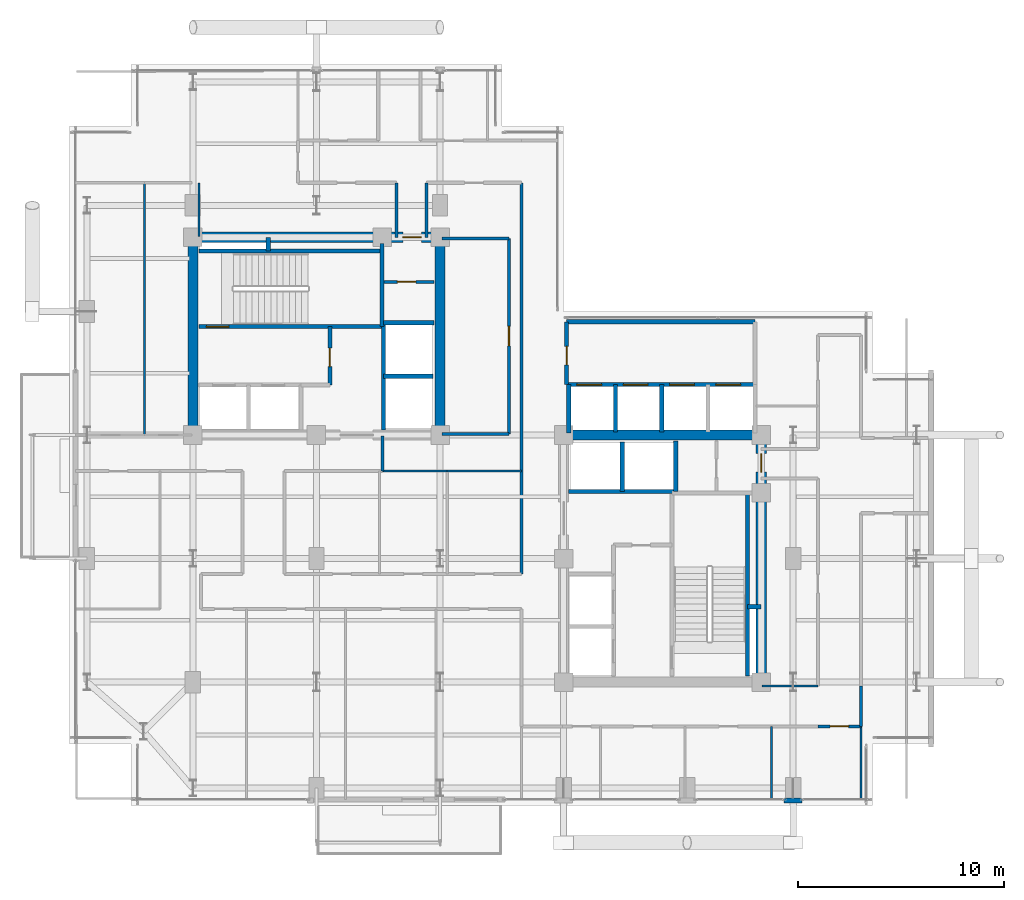
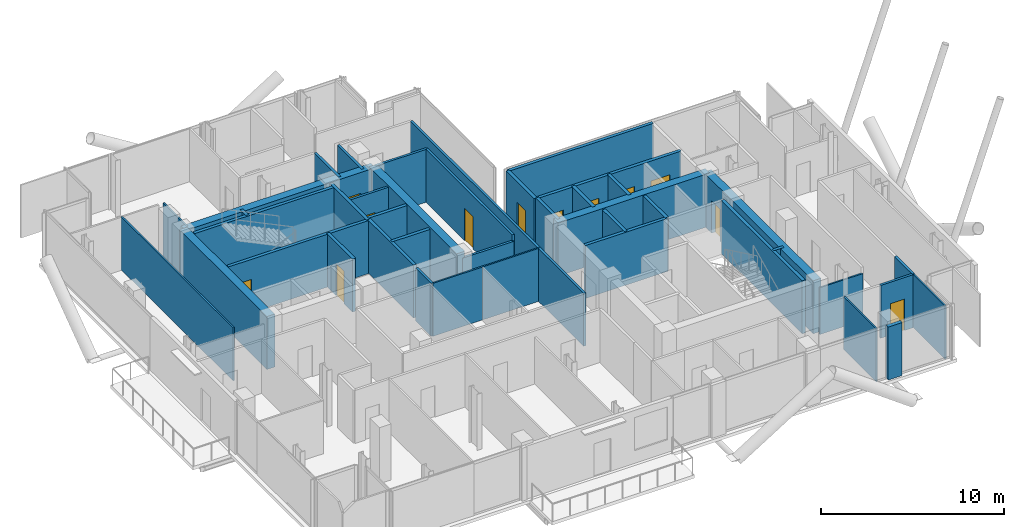
# One storey, part 18 of 22: 42 walls, 12 doors, 12 openings.
"""IFC4 building model written with IfcOpenShell, lengths in metres."""

from ifc_helpers import new_model, si_unit, direction, frame, frame_2d, origin, place, context, subcontext, project, spatial, rectangle, extrude, material, layer, layer_set, type_object, element, fill, save


model = new_model("IFC4")

# Units and contexts
model_context = context("Model", 3, precision=1e-05, world=origin(), true_north=direction((0.0, 1.0)))
body_context = subcontext(model_context, "Body", "Model", "MODEL_VIEW")
ifc_project = project(units=[si_unit("LENGTHUNIT", "METRE"), si_unit("AREAUNIT", "SQUARE_METRE"), si_unit("VOLUMEUNIT", "CUBIC_METRE"), si_unit("PLANEANGLEUNIT", "RADIAN"), si_unit("MASSUNIT", "GRAM", prefix="KILO"), si_unit("THERMODYNAMICTEMPERATUREUNIT", "KELVIN"), si_unit("POWERUNIT", "WATT")], contexts=[model_context])

# Site, building, storey
site_placement = place(None, origin())
site = spatial("IfcSite", under=ifc_project, at=site_placement, CompositionType="ELEMENT")
building_placement = place(site_placement, origin())
building = spatial("IfcBuilding", under=site, at=building_placement, Name="Svarakhadi Broadcast Tower", CompositionType="ELEMENT")
storey_placement = place(building_placement, frame((0.0, 0.0, 191.699951171875)))
storey = spatial("IfcBuildingStorey", under=building, at=storey_placement, Name="L47", CompositionType="ELEMENT", Elevation=191.699951171875)

# Walls
ifc_material_1 = material(Name="Concrete C40/50 (IS 456 M50)", Category="concrete")
ifc_layer_1 = layer(ifc_material_1, 0.239990234375)
ifc_layer_set_1 = layer_set([ifc_layer_1], Name="Concrete C40/50 (IS 456 M50)")
wall_type_1 = type_object("IfcWallType", Name="Wall_Ext_240", PredefinedType="SOLIDWALL", material=ifc_layer_set_1)
wall_1_placement = place(storey_placement, frame((35.590087890625, 0.239990234375, 0.0), z_axis=(0.0, 0.0, 1.0), x_axis=(-1.0, 0.0, 0.0)))
element("IfcWall", 1, at=wall_1_placement, inside=storey, type_object=wall_type_1, Name="L47 Perimeter Bronze Spandrel Closure Wall 03", PredefinedType="SOLIDWALL", context=body_context, shape_type="SweptSolid", body=[
    extrude(rectangle(XDim=0.880126953125, YDim=0.239990234375, at=frame_2d((0.43994140625, 0.0))), origin(), (0.0, 0.0, 1.0), 3.5400390625),
])
ifc_layer_2 = layer(ifc_material_1, 0.199951171875)
ifc_layer_set_2 = layer_set([ifc_layer_2], Name="Concrete C40/50 (IS 456 M50)")
wall_type_2 = type_object("IfcWallType", Name="Wall_Fire_200", PredefinedType="SOLIDWALL", material=ifc_layer_set_2)
for number, where, z_axis, x_axis, name in (
    (2, (9.659912109375, 26.93994140625, 0.0), (0.0, 0.0, 1.0), (0.0, 1.0, 0.0), "L47 Wet Riser Shaft East Wall"),
    (3, (32.93994140625, 9.659912109375, 0.0), (0.0, 0.0, 1.0), (1.0, 0.0, 0.0), "L47 HV Busduct Riser Shaft North Wall"),
):
    element("IfcWall", number, at=place(storey_placement, frame(where, z_axis=z_axis, x_axis=x_axis)), inside=storey, type_object=wall_type_2, Name=name, PredefinedType="SOLIDWALL", context=body_context, shape_type="SweptSolid", body=[
        extrude(rectangle(XDim=0.64013671875, YDim=0.199951171875, at=frame_2d((0.320068359375, 0.0))), origin(), (0.0, 0.0, 1.0), 3.5400390625),
    ])
ifc_material_2 = material(Name="Fire-Rated Moisture-Resistant Gypsum Board Partition", Category="gypsum")
ifc_layer_3 = layer(ifc_material_2, 0.10009765625)
ifc_layer_set_3 = layer_set([ifc_layer_3], Name="Fire-Rated Moisture-Resistant Gypsum Board Partition")
wall_type_3 = type_object("IfcWallType", Name="Wall_Part_100", PredefinedType="PARTITIONING", material=ifc_layer_set_3)
wall_2_placement = place(storey_placement, frame((15.199951171875, 16.25, 0.0), z_axis=(0.0, 0.0, 1.0), x_axis=(1.0, 0.0, 0.0)))
element("IfcWall", 4, at=wall_2_placement, inside=storey, type_object=wall_type_3, Name="L47 Editorial Review Booth Wall", PredefinedType="PARTITIONING", context=body_context, shape_type="SweptSolid", body=[
    extrude(rectangle(XDim=3.150146484375, YDim=0.10009765625, at=frame_2d((1.5751953125, 0.0))), origin(), (0.0, 0.0, 1.0), 3.5400390625),
])
wall_3_placement = place(storey_placement, frame((18.35009765625, 16.25, 0.0), z_axis=(0.0, 0.0, 1.0), x_axis=(1.0, 0.0, 0.0)))
element("IfcWall", 5, at=wall_3_placement, inside=storey, type_object=wall_type_3, Name="L47 Accessible Floor Washroom WC Wall", PredefinedType="PARTITIONING", context=body_context, shape_type="SweptSolid", body=[
    extrude(rectangle(XDim=3.599853515625, YDim=0.10009765625, at=frame_2d((1.7998046875, 0.0))), origin(), (0.0, 0.0, 1.0), 3.5400390625),
])
wall_4_placement = place(storey_placement, frame((3.64990234375, 18.0, 0.0), z_axis=(0.0, 0.0, 1.0), x_axis=(0.0, 1.0, 0.0)))
element("IfcWall", 6, at=wall_4_placement, inside=storey, type_object=wall_type_3, Name="L47 Wellness Relaxation Alcove Wall", PredefinedType="PARTITIONING", context=body_context, shape_type="SweptSolid", body=[
    extrude(rectangle(XDim=12.25, YDim=0.10009765625, at=frame_2d((6.125, 0.0))), origin(), (0.0, 0.0, 1.0), 3.5400390625),
])
for number, where, z_axis, x_axis, name in (
    (7, (34.10009765625, 0.300048828125, 0.0), (0.0, 0.0, 1.0), (0.0, 1.0, 0.0), "L47 Artisanal Espresso Bar Wall"),
    (8, (38.449951171875, 0.300048828125, 0.0), (0.0, 0.0, 1.0), (0.0, 1.0, 0.0), "L47 Hotel Business Centre Office Wall"),
):
    element("IfcWall", number, at=place(storey_placement, frame(where, z_axis=z_axis, x_axis=x_axis)), inside=storey, type_object=wall_type_3, Name=name, PredefinedType="PARTITIONING", context=body_context, shape_type="SweptSolid", body=[
        extrude(rectangle(XDim=3.550048828125, YDim=0.10009765625, at=frame_2d((1.77490234375, 0.0))), origin(), (0.0, 0.0, 1.0), 3.5400390625),
    ])
wall_5_placement = place(storey_placement, frame((6.300048828125, 27.64990234375, 0.0), z_axis=(0.0, 0.0, 1.0), x_axis=(0.0, 1.0, 0.0)))
element("IfcWall", 9, at=wall_5_placement, inside=storey, type_object=wall_type_3, Name="L47 Guest Library Study Wall", PredefinedType="PARTITIONING", context=body_context, shape_type="SweptSolid", body=[
    extrude(rectangle(XDim=2.60009765625, YDim=0.10009765625, at=frame_2d((1.300048828125, 0.0))), origin(), (0.0, 0.0, 1.0), 3.5400390625),
])
wall_6_placement = place(storey_placement, frame((33.64990234375, 5.800048828125, 0.0), z_axis=(0.0, 0.0, 1.0), x_axis=(1.0, 0.0, 0.0)))
element("IfcWall", 10, at=wall_6_placement, inside=storey, type_object=wall_type_3, Name="L47 Sommelier Wine Tasting Room Wall", PredefinedType="PARTITIONING", context=body_context, shape_type="SweptSolid", body=[
    extrude(rectangle(XDim=2.7001953125, YDim=0.10009765625, at=frame_2d((1.35009765625, 0.0))), origin(), (0.0, 0.0, 1.0), 3.132080078125),
])

# Wall, opening, door
ifc_material_3 = material(Name="Autoclaved Aerated Concrete Blockwork 150 mm", Category="masonry")
ifc_layer_4 = layer(ifc_material_3, 0.14990234375)
ifc_layer_set_4 = layer_set([ifc_layer_4], Name="Autoclaved Aerated Concrete Blockwork 150 mm")
wall_type_4 = type_object("IfcWallType", Name="Wall_Part_150", PredefinedType="PARTITIONING", material=ifc_layer_set_4)
wall_7_placement = place(storey_placement, frame((15.280029296875, 25.43994140625, 0.0), z_axis=(0.0, 0.0, 1.0), x_axis=(1.0, 0.0, 0.0)))
wall_7 = element("IfcWall", 11, at=wall_7_placement, inside=storey, type_object=wall_type_4, Name="L47 West Core Dual Store Wall", PredefinedType="PARTITIONING", context=body_context, shape_type="SweptSolid", body=[
    extrude(rectangle(XDim=2.419921875, YDim=0.14990234375, at=frame_2d((1.2099609375, 0.0))), origin(), (0.0, 0.0, 1.0), 3.5400390625),
])
opening_1_placement = place(wall_7_placement, frame((0.64990234375, 0.0, 0.0)))
opening_1 = element("IfcOpeningElement", 12, at=opening_1_placement, cuts=wall_7, Name="Opening D-03", PredefinedType="OPENING", context=body_context, shape_type="SweptSolid", body=[
    extrude(rectangle(XDim=0.89990234375, YDim=2.14990234375, at=frame_2d((0.449951171875, 1.074951171875))), frame((0.0, 0.0849609375, 0.0), z_axis=(0.0, -1.0, 0.0), x_axis=(1.0, 0.0, 0.0)), (0.0, 0.0, 1.0), 0.169921875),
])
ifc_material_4 = material(Name="Galvanised Powder-Coated Fire-Rated Steel Leaf", Category="steel")
door_type_1 = type_object("IfcDoorType", Name="Door_Fire_D03", OperationType="SINGLE_SWING_LEFT", PredefinedType="DOOR", material=ifc_material_4)
door_1_placement = place(opening_1_placement, origin())
door_1 = element("IfcDoor", 13, at=door_1_placement, inside=storey, type_object=door_type_1, Name="L47 West Core Store B Door", OperationType="SINGLE_SWING_LEFT", OverallHeight=2.14990234375, OverallWidth=0.89990234375, PredefinedType="DOOR", context=body_context, shape_type="SweptSolid", body=[
    extrude(rectangle(XDim=0.89990234375, YDim=2.14990234375, at=frame_2d((0.449951171875, 1.074951171875))), frame((0.0, 0.02490234375, 0.0), z_axis=(0.0, -1.0, 0.0), x_axis=(1.0, 0.0, 0.0)), (0.0, 0.0, 1.0), 0.050048828125),
])
fill(opening_1, door_1)

# Wall
wall_8_placement = place(storey_placement, frame((38.449951171875, 5.800048828125, 0.0), z_axis=(0.0, 0.0, 1.0), x_axis=(0.0, -1.0, 0.0)))
element("IfcWall", 14, at=wall_8_placement, inside=storey, type_object=wall_type_4, Name="L47 Zone 2/3 Corridor Wall", PredefinedType="PARTITIONING", context=body_context, shape_type="SweptSolid", body=[
    extrude(rectangle(XDim=1.949951171875, YDim=0.14990234375, at=frame_2d((0.97509765625, 0.0))), origin(), (0.0, 0.0, 1.0), 3.5400390625),
])

# Wall, opening, door
wall_9_placement = place(storey_placement, frame((38.449951171875, 3.85009765625, 0.0), z_axis=(0.0, 0.0, 1.0), x_axis=(-1.0, 0.0, 0.0)))
wall_9 = element("IfcWall", 15, at=wall_9_placement, inside=storey, type_object=wall_type_4, Name="L47 Zone 2/3 Corridor Wall", PredefinedType="PARTITIONING", context=body_context, shape_type="SweptSolid", body=[
    extrude(rectangle(XDim=2.099853515625, YDim=0.14990234375, at=frame_2d((1.0498046875, 0.0))), origin(), (0.0, 0.0, 1.0), 3.5400390625),
])
opening_2_placement = place(wall_9_placement, frame((0.60009765625, 0.0, 0.0)))
opening_2 = element("IfcOpeningElement", 16, at=opening_2_placement, cuts=wall_9, Name="Opening D-15", PredefinedType="OPENING", context=body_context, shape_type="SweptSolid", body=[
    extrude(rectangle(XDim=0.89990234375, YDim=2.10009765625, at=frame_2d((0.449951171875, 1.050048828125))), frame((0.0, 0.0849609375, 0.0), z_axis=(0.0, -1.0, 0.0), x_axis=(1.0, 0.0, 0.0)), (0.0, 0.0, 1.0), 0.169921875),
])
ifc_material_5 = material(Name="Solid-Core Teak Veneer Acoustic Timber Leaf", Category="wood")
door_type_2 = type_object("IfcDoorType", Name="Door_Int_D15", OperationType="SINGLE_SWING_RIGHT", PredefinedType="DOOR", material=ifc_material_5)
door_2_placement = place(opening_2_placement, origin())
door_2 = element("IfcDoor", 17, at=door_2_placement, inside=storey, type_object=door_type_2, Name="L47 Hotel Business Centre Office Door", OperationType="SINGLE_SWING_RIGHT", OverallHeight=2.10009765625, OverallWidth=0.89990234375, PredefinedType="DOOR", context=body_context, shape_type="SweptSolid", body=[
    extrude(rectangle(XDim=0.89990234375, YDim=2.10009765625, at=frame_2d((0.449951171875, 1.050048828125))), frame((0.0, 0.02490234375, 0.0), z_axis=(0.0, -1.0, 0.0), x_axis=(1.0, 0.0, 0.0)), (0.0, 0.0, 1.0), 0.050048828125),
])
fill(opening_2, door_2)

# Walls
wall_10_placement = place(storey_placement, frame((15.199951171875, 17.949951171875, 0.0), z_axis=(0.0, 0.0, 1.0), x_axis=(0.0, -1.0, 0.0)))
element("IfcWall", 18, at=wall_10_placement, inside=storey, type_object=wall_type_4, Name="L47 Zone 2/3 Corridor Wall", PredefinedType="PARTITIONING", context=body_context, shape_type="SweptSolid", body=[
    extrude(rectangle(XDim=1.699951171875, YDim=0.14990234375, at=frame_2d((0.85009765625, 0.0))), origin(), (0.0, 0.0, 1.0), 3.5400390625),
])
wall_11_placement = place(storey_placement, frame((21.949951171875, 11.25, 0.0), z_axis=(0.0, 0.0, 1.0), x_axis=(0.0, 1.0, 0.0)))
element("IfcWall", 19, at=wall_11_placement, inside=storey, type_object=wall_type_4, Name="L47 Zone 2/3 Corridor Wall", PredefinedType="PARTITIONING", context=body_context, shape_type="SweptSolid", body=[
    extrude(rectangle(XDim=19.0, YDim=0.14990234375, at=frame_2d((9.5, 0.0))), origin(), (0.0, 0.0, 1.0), 3.5400390625),
])
for number, where, z_axis, x_axis, name in (
    (20, (17.35009765625, 30.25, 0.0), (0.0, 0.0, 1.0), (0.0, -1.0, 0.0), "L47 Zone 2/3 Corridor Wall"),
    (21, (15.8798828125, 27.580078125, 0.0), (0.0, 0.0, 1.0), (0.0, 1.0, 0.0), "L47 Zone 2/3 Corridor Wall"),
):
    element("IfcWall", number, at=place(storey_placement, frame(where, z_axis=z_axis, x_axis=x_axis)), inside=storey, type_object=wall_type_4, Name=name, PredefinedType="PARTITIONING", context=body_context, shape_type="SweptSolid", body=[
        extrude(rectangle(XDim=2.669921875, YDim=0.14990234375, at=frame_2d((1.3349609375, 0.0))), origin(), (0.0, 0.0, 1.0), 3.5400390625),
    ])
wall_12_placement = place(storey_placement, frame((18.10009765625, 18.050048828125, 0.0), z_axis=(0.0, 0.0, 1.0), x_axis=(1.0, 0.0, 0.0)))
element("IfcWall", 22, at=wall_12_placement, inside=storey, type_object=wall_type_4, Name="L47 Hotel Floor Butler Service Pantry Wall", PredefinedType="PARTITIONING", context=body_context, shape_type="SweptSolid", body=[
    extrude(rectangle(XDim=3.25, YDim=0.14990234375, at=frame_2d((1.625, 0.0))), origin(), (0.0, 0.0, 1.0), 3.132080078125),
])
wall_13_placement = place(storey_placement, frame((18.10009765625, 27.550048828125, 0.0), z_axis=(0.0, 0.0, 1.0), x_axis=(1.0, 0.0, 0.0)))
element("IfcWall", 23, at=wall_13_placement, inside=storey, type_object=wall_type_4, Name="L47 Hotel Floor Butler Service Pantry Wall", PredefinedType="PARTITIONING", context=body_context, shape_type="SweptSolid", body=[
    extrude(rectangle(XDim=3.25, YDim=0.14990234375, at=frame_2d((1.625, 0.0))), origin(), (0.0, 0.0, 1.0), 3.5400390625),
])

# Wall, opening, door
wall_14_placement = place(storey_placement, frame((21.35009765625, 18.050048828125, 0.0), z_axis=(0.0, 0.0, 1.0), x_axis=(0.0, 1.0, 0.0)))
wall_14 = element("IfcWall", 24, at=wall_14_placement, inside=storey, type_object=wall_type_4, Name="L47 Hotel Floor Butler Service Pantry Wall", PredefinedType="PARTITIONING", context=body_context, shape_type="SweptSolid", body=[
    extrude(rectangle(XDim=9.5, YDim=0.14990234375, at=frame_2d((4.75, 0.0))), origin(), (0.0, 0.0, 1.0), 3.5400390625),
])
opening_3_placement = place(wall_14_placement, frame((4.27490234375, 0.0, 0.0)))
opening_3 = element("IfcOpeningElement", 25, at=opening_3_placement, cuts=wall_14, Name="Opening D-07", PredefinedType="OPENING", context=body_context, shape_type="SweptSolid", body=[
    extrude(rectangle(XDim=0.949951171875, YDim=2.14990234375, at=frame_2d((0.47509765625, 1.074951171875))), frame((0.0, 0.0849609375, 0.0), z_axis=(0.0, -1.0, 0.0), x_axis=(1.0, 0.0, 0.0)), (0.0, 0.0, 1.0), 0.169921875),
])
door_type_3 = type_object("IfcDoorType", Name="Door_Office_D07", OperationType="SINGLE_SWING_RIGHT", PredefinedType="DOOR", material=ifc_material_5)
door_3_placement = place(opening_3_placement, origin())
door_3 = element("IfcDoor", 26, at=door_3_placement, inside=storey, type_object=door_type_3, Name="L47 Hotel Floor Butler Service Pantry Door", OperationType="SINGLE_SWING_RIGHT", OverallHeight=2.14990234375, OverallWidth=0.949951171875, PredefinedType="DOOR", context=body_context, shape_type="SweptSolid", body=[
    extrude(rectangle(XDim=0.949951171875, YDim=2.14990234375, at=frame_2d((0.47509765625, 1.074951171875))), frame((0.0, 0.02490234375, 0.0), z_axis=(0.0, -1.0, 0.0), x_axis=(1.0, 0.0, 0.0)), (0.0, 0.0, 1.0), 0.050048828125),
])
fill(opening_3, door_3)

ifc_material_6 = material(Name="Concrete C50/60 (IS 456 M60)", Category="concrete")
ifc_layer_5 = layer(ifc_material_6, 0.199951171875)
ifc_layer_set_5 = layer_set([ifc_layer_5], Name="Concrete C50/60 (IS 456 M60)")
wall_type_5 = type_object("IfcWallType", Name="Wall_Shear_200", PredefinedType="SHEAR", material=ifc_layer_set_5)
wall_15_placement = place(storey_placement, frame((6.300048828125, 23.260009765625, 0.0), z_axis=(0.0, 0.0, 1.0), x_axis=(1.0, 0.0, 0.0)))
wall_15 = element("IfcWall", 27, at=wall_15_placement, inside=storey, type_object=wall_type_5, Name="L47 Stair ST-01 South RC Shaft Wall", PredefinedType="SHEAR", context=body_context, shape_type="SweptSolid", body=[
    extrude(rectangle(XDim=8.8798828125, YDim=0.199951171875, at=frame_2d((4.43994140625, 0.0))), origin(), (0.0, 0.0, 1.0), 3.5400390625),
])
opening_4_placement = place(wall_15_placement, frame((0.35009765625, 0.0, 0.0)))
opening_4 = element("IfcOpeningElement", 28, at=opening_4_placement, cuts=wall_15, Name="Opening D-01", PredefinedType="OPENING", context=body_context, shape_type="SweptSolid", body=[
    extrude(rectangle(XDim=1.10009765625, YDim=2.199951171875, at=frame_2d((0.550048828125, 1.10009765625))), frame((0.0, 0.10986328125, 0.0), z_axis=(0.0, -1.0, 0.0), x_axis=(1.0, 0.0, 0.0)), (0.0, 0.0, 1.0), 0.219970703125),
])
door_type_4 = type_object("IfcDoorType", Name="Door_Stair_D01", OperationType="SINGLE_SWING_LEFT", PredefinedType="DOOR", material=ifc_material_4)
door_4_placement = place(opening_4_placement, origin())
door_4 = element("IfcDoor", 29, at=door_4_placement, inside=storey, type_object=door_type_4, Name="L47 Protected Exit Stair ST-01 Fire Door", OperationType="SINGLE_SWING_LEFT", OverallHeight=2.199951171875, OverallWidth=1.10009765625, PredefinedType="DOOR", context=body_context, shape_type="SweptSolid", body=[
    extrude(rectangle(XDim=1.10009765625, YDim=2.199951171875, at=frame_2d((0.550048828125, 1.10009765625))), frame((0.0, 0.02490234375, 0.0), z_axis=(0.0, -1.0, 0.0), x_axis=(1.0, 0.0, 0.0)), (0.0, 0.0, 1.0), 0.050048828125),
])
fill(opening_4, door_4)

# Walls
wall_16_placement = place(storey_placement, frame((6.300048828125, 26.93994140625, 0.0), z_axis=(0.0, 0.0, 1.0), x_axis=(1.0, 0.0, 0.0)))
element("IfcWall", 30, at=wall_16_placement, inside=storey, type_object=wall_type_5, Name="L47 Stair ST-01 North RC Shaft Wall", PredefinedType="SHEAR", context=body_context, shape_type="SweptSolid", body=[
    extrude(rectangle(XDim=8.8798828125, YDim=0.199951171875, at=frame_2d((4.43994140625, 0.0))), origin(), (0.0, 0.0, 1.0), 3.5400390625),
])
wall_17_placement = place(storey_placement, frame((15.179931640625, 23.260009765625, 0.0), z_axis=(0.0, 0.0, 1.0), x_axis=(0.0, 1.0, 0.0)))
element("IfcWall", 31, at=wall_17_placement, inside=storey, type_object=wall_type_5, Name="L47 Stair ST-01 East RC Shaft Wall", PredefinedType="SHEAR", context=body_context, shape_type="SweptSolid", body=[
    extrude(rectangle(XDim=4.0400390625, YDim=0.199951171875, at=frame_2d((2.02001953125, 0.0))), origin(), (0.0, 0.0, 1.0), 3.5400390625),
])
wall_18_placement = place(storey_placement, frame((32.93994140625, 6.300048828125, 0.0), z_axis=(0.0, 0.0, 1.0), x_axis=(0.0, 1.0, 0.0)))
element("IfcWall", 32, at=wall_18_placement, inside=storey, type_object=wall_type_5, Name="L47 Stair ST-02 East RC Shaft Wall", PredefinedType="SHEAR", context=body_context, shape_type="SweptSolid", body=[
    extrude(rectangle(XDim=8.8798828125, YDim=0.199951171875, at=frame_2d((4.43994140625, 0.0))), origin(), (0.0, 0.0, 1.0), 3.5400390625),
])

# Wall, opening, door
wall_19_placement = place(storey_placement, frame((12.64990234375, 20.419921875, 0.0), z_axis=(0.0, 0.0, 1.0), x_axis=(0.0, 1.0, 0.0)))
wall_19 = element("IfcWall", 33, at=wall_19_placement, inside=storey, type_object=wall_type_5, Name="L47 West Firefighting Lobby East Wall", PredefinedType="SHEAR", context=body_context, shape_type="SweptSolid", body=[
    extrude(rectangle(XDim=2.840087890625, YDim=0.199951171875, at=frame_2d((1.419921875, 0.0))), origin(), (0.0, 0.0, 1.0), 3.5400390625),
])
opening_5_placement = place(wall_19_placement, frame((0.89990234375, 0.0, 0.0)))
opening_5 = element("IfcOpeningElement", 34, at=opening_5_placement, cuts=wall_19, Name="Opening D-03", PredefinedType="OPENING", context=body_context, shape_type="SweptSolid", body=[
    extrude(rectangle(XDim=0.89990234375, YDim=2.14990234375, at=frame_2d((0.449951171875, 1.074951171875))), frame((0.0, 0.10986328125, 0.0), z_axis=(0.0, -1.0, 0.0), x_axis=(1.0, 0.0, 0.0)), (0.0, 0.0, 1.0), 0.219970703125),
])
door_5_placement = place(opening_5_placement, origin())
door_5 = element("IfcDoor", 35, at=door_5_placement, inside=storey, type_object=door_type_1, Name="L47 West Firefighting Lobby Fire Door", OperationType="SINGLE_SWING_LEFT", OverallHeight=2.14990234375, OverallWidth=0.89990234375, PredefinedType="DOOR", context=body_context, shape_type="SweptSolid", body=[
    extrude(rectangle(XDim=0.89990234375, YDim=2.14990234375, at=frame_2d((0.449951171875, 1.074951171875))), frame((0.0, 0.02490234375, 0.0), z_axis=(0.0, -1.0, 0.0), x_axis=(1.0, 0.0, 0.0)), (0.0, 0.0, 1.0), 0.050048828125),
])
fill(opening_5, door_5)

# Walls
wall_20_placement = place(storey_placement, frame((15.25, 18.25, 0.0), z_axis=(0.0, 0.0, 1.0), x_axis=(0.0, 1.0, 0.0)))
element("IfcWall", 36, at=wall_20_placement, inside=storey, type_object=wall_type_5, Name="L47 High-Rise Lift LF-13/14 West Shaft Wall", PredefinedType="SHEAR", context=body_context, shape_type="SweptSolid", body=[
    extrude(rectangle(XDim=5.199951171875, YDim=0.199951171875, at=frame_2d((2.60009765625, 0.0))), origin(), (0.0, 0.0, 1.0), 3.5400390625),
])
wall_21_placement = place(storey_placement, frame((15.25, 20.85009765625, 0.0), z_axis=(0.0, 0.0, 1.0), x_axis=(1.0, 0.0, 0.0)))
element("IfcWall", 37, at=wall_21_placement, inside=storey, type_object=wall_type_5, Name="L47 High-Rise Lift LF-13/14 Divider", PredefinedType="SHEAR", context=body_context, shape_type="SweptSolid", body=[
    extrude(rectangle(XDim=2.39990234375, YDim=0.199951171875, at=frame_2d((1.199951171875, 0.0))), origin(), (0.0, 0.0, 1.0), 3.5400390625),
])
wall_22_placement = place(storey_placement, frame((15.25, 23.449951171875, 0.0), z_axis=(0.0, 0.0, 1.0), x_axis=(1.0, 0.0, 0.0)))
element("IfcWall", 38, at=wall_22_placement, inside=storey, type_object=wall_type_5, Name="L47 High-Rise Lift LF-13/14 North Wall", PredefinedType="SHEAR", context=body_context, shape_type="SweptSolid", body=[
    extrude(rectangle(XDim=2.449951171875, YDim=0.199951171875, at=frame_2d((1.22509765625, 0.0))), origin(), (0.0, 0.0, 1.0), 3.5400390625),
])
wall_23_placement = place(storey_placement, frame((24.25, 15.25, 0.0), z_axis=(0.0, 0.0, 1.0), x_axis=(1.0, 0.0, 0.0)))
element("IfcWall", 39, at=wall_23_placement, inside=storey, type_object=wall_type_5, Name="L47 High-Rise Lift LF-15/16 South Shaft Wall", PredefinedType="SHEAR", context=body_context, shape_type="SweptSolid", body=[
    extrude(rectangle(XDim=5.199951171875, YDim=0.199951171875, at=frame_2d((2.60009765625, 0.0))), origin(), (0.0, 0.0, 1.0), 3.5400390625),
])
wall_24_placement = place(storey_placement, frame((26.85009765625, 15.25, 0.0), z_axis=(0.0, 0.0, 1.0), x_axis=(0.0, 1.0, 0.0)))
element("IfcWall", 40, at=wall_24_placement, inside=storey, type_object=wall_type_5, Name="L47 High-Rise Lift LF-15/16 Divider", PredefinedType="SHEAR", context=body_context, shape_type="SweptSolid", body=[
    extrude(rectangle(XDim=2.39990234375, YDim=0.199951171875, at=frame_2d((1.199951171875, 0.0))), origin(), (0.0, 0.0, 1.0), 3.5400390625),
])
wall_25_placement = place(storey_placement, frame((29.449951171875, 15.25, 0.0), z_axis=(0.0, 0.0, 1.0), x_axis=(0.0, 1.0, 0.0)))
element("IfcWall", 41, at=wall_25_placement, inside=storey, type_object=wall_type_5, Name="L47 High-Rise Lift LF-15/16 East Wall", PredefinedType="SHEAR", context=body_context, shape_type="SweptSolid", body=[
    extrude(rectangle(XDim=2.449951171875, YDim=0.199951171875, at=frame_2d((1.22509765625, 0.0))), origin(), (0.0, 0.0, 1.0), 3.5400390625),
])
wall_26_placement = place(storey_placement, frame((24.25, 18.10009765625, 0.0), z_axis=(0.0, 0.0, 1.0), x_axis=(0.0, 1.0, 0.0)))
element("IfcWall", 42, at=wall_26_placement, inside=storey, type_object=wall_type_5, Name="L47 Bank B West Shaft Wall", PredefinedType="SHEAR", context=body_context, shape_type="SweptSolid", body=[
    extrude(rectangle(XDim=2.349853515625, YDim=0.199951171875, at=frame_2d((1.1748046875, 0.0))), origin(), (0.0, 0.0, 1.0), 3.5400390625),
])

# Wall, openings, doors
wall_27_placement = place(storey_placement, frame((24.25, 20.449951171875, 0.0), z_axis=(0.0, 0.0, 1.0), x_axis=(1.0, 0.0, 0.0)))
wall_27 = element("IfcWall", 43, at=wall_27_placement, inside=storey, type_object=wall_type_5, Name="L47 Bank B North Landing Wall", PredefinedType="SHEAR", context=body_context, shape_type="SweptSolid", body=[
    extrude(rectangle(XDim=9.050048828125, YDim=0.199951171875, at=frame_2d((4.52490234375, 0.0))), origin(), (0.0, 0.0, 1.0), 3.5400390625),
])
opening_6_placement = place(wall_27_placement, frame((0.39990234375, 0.0, 0.0)))
opening_6 = element("IfcOpeningElement", 44, at=opening_6_placement, cuts=wall_27, Name="Opening LD-02", PredefinedType="OPENING", context=body_context, shape_type="SweptSolid", body=[
    extrude(rectangle(XDim=1.199951171875, YDim=2.199951171875, at=frame_2d((0.60009765625, 1.10009765625))), frame((0.0, 0.10986328125, 0.0), z_axis=(0.0, -1.0, 0.0), x_axis=(1.0, 0.0, 0.0)), (0.0, 0.0, 1.0), 0.219970703125),
])
opening_7_placement = place(wall_27_placement, frame((2.64990234375, 0.0, 0.0)))
opening_7 = element("IfcOpeningElement", 45, at=opening_7_placement, cuts=wall_27, Name="Opening LD-02", PredefinedType="OPENING", context=body_context, shape_type="SweptSolid", body=[
    extrude(rectangle(XDim=1.199951171875, YDim=2.199951171875, at=frame_2d((0.60009765625, 1.10009765625))), frame((0.0, 0.10986328125, 0.0), z_axis=(0.0, -1.0, 0.0), x_axis=(1.0, 0.0, 0.0)), (0.0, 0.0, 1.0), 0.219970703125),
])
opening_8_placement = place(wall_27_placement, frame((4.89990234375, 0.0, 0.0)))
opening_8 = element("IfcOpeningElement", 46, at=opening_8_placement, cuts=wall_27, Name="Opening LD-02", PredefinedType="OPENING", context=body_context, shape_type="SweptSolid", body=[
    extrude(rectangle(XDim=1.199951171875, YDim=2.199951171875, at=frame_2d((0.60009765625, 1.10009765625))), frame((0.0, 0.10986328125, 0.0), z_axis=(0.0, -1.0, 0.0), x_axis=(1.0, 0.0, 0.0)), (0.0, 0.0, 1.0), 0.219970703125),
])
opening_9_placement = place(wall_27_placement, frame((7.14990234375, 0.0, 0.0)))
opening_9 = element("IfcOpeningElement", 47, at=opening_9_placement, cuts=wall_27, Name="Opening LD-02", PredefinedType="OPENING", context=body_context, shape_type="SweptSolid", body=[
    extrude(rectangle(XDim=1.199951171875, YDim=2.199951171875, at=frame_2d((0.60009765625, 1.10009765625))), frame((0.0, 0.10986328125, 0.0), z_axis=(0.0, -1.0, 0.0), x_axis=(1.0, 0.0, 0.0)), (0.0, 0.0, 1.0), 0.219970703125),
])
door_type_5 = type_object("IfcDoorType", Name="Door_Lift_LD02", OperationType="SLIDING_TO_RIGHT", PredefinedType="DOOR", material=ifc_material_4)
door_6_placement = place(opening_6_placement, origin())
door_6 = element("IfcDoor", 48, at=door_6_placement, inside=storey, type_object=door_type_5, Name="L47 Mid-Rise Lift LF-09 Landing Door", OperationType="SLIDING_TO_RIGHT", OverallHeight=2.199951171875, OverallWidth=1.199951171875, PredefinedType="DOOR", context=body_context, shape_type="SweptSolid", body=[
    extrude(rectangle(XDim=1.199951171875, YDim=2.199951171875, at=frame_2d((0.60009765625, 1.10009765625))), frame((0.0, 0.02490234375, 0.0), z_axis=(0.0, -1.0, 0.0), x_axis=(1.0, 0.0, 0.0)), (0.0, 0.0, 1.0), 0.050048828125),
])
fill(opening_6, door_6)
door_7_placement = place(opening_7_placement, origin())
door_7 = element("IfcDoor", 49, at=door_7_placement, inside=storey, type_object=door_type_5, Name="L47 Mid-Rise Lift LF-10 Landing Door", OperationType="SLIDING_TO_RIGHT", OverallHeight=2.199951171875, OverallWidth=1.199951171875, PredefinedType="DOOR", context=body_context, shape_type="SweptSolid", body=[
    extrude(rectangle(XDim=1.199951171875, YDim=2.199951171875, at=frame_2d((0.60009765625, 1.10009765625))), frame((0.0, 0.02490234375, 0.0), z_axis=(0.0, -1.0, 0.0), x_axis=(1.0, 0.0, 0.0)), (0.0, 0.0, 1.0), 0.050048828125),
])
fill(opening_7, door_7)
door_8_placement = place(opening_8_placement, origin())
door_8 = element("IfcDoor", 50, at=door_8_placement, inside=storey, type_object=door_type_5, Name="L47 Mid-Rise Lift LF-11 Landing Door", OperationType="SLIDING_TO_RIGHT", OverallHeight=2.199951171875, OverallWidth=1.199951171875, PredefinedType="DOOR", context=body_context, shape_type="SweptSolid", body=[
    extrude(rectangle(XDim=1.199951171875, YDim=2.199951171875, at=frame_2d((0.60009765625, 1.10009765625))), frame((0.0, 0.02490234375, 0.0), z_axis=(0.0, -1.0, 0.0), x_axis=(1.0, 0.0, 0.0)), (0.0, 0.0, 1.0), 0.050048828125),
])
fill(opening_8, door_8)
door_9_placement = place(opening_9_placement, origin())
door_9 = element("IfcDoor", 51, at=door_9_placement, inside=storey, type_object=door_type_5, Name="L47 Mid-Rise Lift LF-12 Landing Door", OperationType="SLIDING_TO_RIGHT", OverallHeight=2.199951171875, OverallWidth=1.199951171875, PredefinedType="DOOR", context=body_context, shape_type="SweptSolid", body=[
    extrude(rectangle(XDim=1.199951171875, YDim=2.199951171875, at=frame_2d((0.60009765625, 1.10009765625))), frame((0.0, 0.02490234375, 0.0), z_axis=(0.0, -1.0, 0.0), x_axis=(1.0, 0.0, 0.0)), (0.0, 0.0, 1.0), 0.050048828125),
])
fill(opening_9, door_9)

# Walls
for number, where, z_axis, x_axis, name in (
    (52, (26.52001953125, 18.14990234375, 0.0), (0.0, 0.0, 1.0), (0.0, 1.0, 0.0), "L47 Bank B Divider"),
    (53, (28.77001953125, 18.14990234375, 0.0), (0.0, 0.0, 1.0), (0.0, 1.0, 0.0), "L47 Bank B Divider"),
):
    element("IfcWall", number, at=place(storey_placement, frame(where, z_axis=z_axis, x_axis=x_axis)), inside=storey, type_object=wall_type_5, Name=name, PredefinedType="SHEAR", context=body_context, shape_type="SweptSolid", body=[
        extrude(rectangle(XDim=2.300048828125, YDim=0.199951171875, at=frame_2d((1.14990234375, 0.0))), origin(), (0.0, 0.0, 1.0), 3.5400390625),
    ])
wall_28_placement = place(storey_placement, frame((24.14990234375, 23.5, 0.0), z_axis=(0.0, 0.0, 1.0), x_axis=(1.0, 0.0, 0.0)))
element("IfcWall", 54, at=wall_28_placement, inside=storey, type_object=wall_type_5, Name="L47 Bank B Lift Hall North Wall", PredefinedType="SHEAR", context=body_context, shape_type="SweptSolid", body=[
    extrude(rectangle(XDim=9.150146484375, YDim=0.199951171875, at=frame_2d((4.5751953125, 0.0))), origin(), (0.0, 0.0, 1.0), 3.5400390625),
])

# Wall, opening, door
wall_29_placement = place(storey_placement, frame((24.14990234375, 20.449951171875, 0.0), z_axis=(0.0, 0.0, 1.0), x_axis=(0.0, 1.0, 0.0)))
wall_29 = element("IfcWall", 55, at=wall_29_placement, inside=storey, type_object=wall_type_5, Name="L47 Bank B Lift Hall West Wall", PredefinedType="SHEAR", context=body_context, shape_type="SweptSolid", body=[
    extrude(rectangle(XDim=3.050048828125, YDim=0.199951171875, at=frame_2d((1.52490234375, 0.0))), origin(), (0.0, 0.0, 1.0), 3.5400390625),
])
opening_10_placement = place(wall_29_placement, frame((0.949951171875, 0.0, 0.0)))
opening_10 = element("IfcOpeningElement", 56, at=opening_10_placement, cuts=wall_29, Name="Opening D-03", PredefinedType="OPENING", context=body_context, shape_type="SweptSolid", body=[
    extrude(rectangle(XDim=0.89990234375, YDim=2.14990234375, at=frame_2d((0.449951171875, 1.074951171875))), frame((0.0, 0.10986328125, 0.0), z_axis=(0.0, -1.0, 0.0), x_axis=(1.0, 0.0, 0.0)), (0.0, 0.0, 1.0), 0.219970703125),
])
door_10_placement = place(opening_10_placement, origin())
door_10 = element("IfcDoor", 57, at=door_10_placement, inside=storey, type_object=door_type_1, Name="L47 Mid-Rise Lift Hall West Corridor Door", OperationType="SINGLE_SWING_LEFT", OverallHeight=2.14990234375, OverallWidth=0.89990234375, PredefinedType="DOOR", context=body_context, shape_type="SweptSolid", body=[
    extrude(rectangle(XDim=0.89990234375, YDim=2.14990234375, at=frame_2d((0.449951171875, 1.074951171875))), frame((0.0, 0.02490234375, 0.0), z_axis=(0.0, -1.0, 0.0), x_axis=(1.0, 0.0, 0.0)), (0.0, 0.0, 1.0), 0.050048828125),
])
fill(opening_10, door_10)

ifc_layer_6 = layer(ifc_material_6, 0.5)
ifc_layer_set_6 = layer_set([ifc_layer_6], Name="Concrete C50/60 (IS 456 M60)")
wall_type_6 = type_object("IfcWallType", Name="Wall_Shear_500", PredefinedType="SHEAR", material=ifc_layer_set_6)
wall_30_placement = place(storey_placement, frame((6.0, 27.60009765625, 0.0), z_axis=(0.0, 0.0, 1.0), x_axis=(1.0, 0.0, 0.0)))
wall_30 = element("IfcWall", 58, at=wall_30_placement, inside=storey, type_object=wall_type_6, Name="L47 West Core North Shear Wall", PredefinedType="SHEAR", context=body_context, shape_type="SweptSolid", body=[
    extrude(rectangle(XDim=12.0, YDim=0.5, at=frame_2d((6.0, 0.0))), origin(), (0.0, 0.0, 1.0), 3.5400390625),
])
opening_11_placement = place(wall_30_placement, frame((10.199951171875, 0.0, 0.0)))
opening_11 = element("IfcOpeningElement", 59, at=opening_11_placement, cuts=wall_30, Name="Opening D-04", PredefinedType="OPENING", context=body_context, shape_type="SweptSolid", body=[
    extrude(rectangle(XDim=0.89990234375, YDim=2.14990234375, at=frame_2d((0.449951171875, 1.074951171875))), frame((0.0, 0.260009765625, 0.0), z_axis=(0.0, -1.0, 0.0), x_axis=(1.0, 0.0, 0.0)), (0.0, 0.0, 1.0), 0.52001953125),
])
door_type_6 = type_object("IfcDoorType", Name="Door_Fire_D04", OperationType="SINGLE_SWING_RIGHT", PredefinedType="DOOR", material=ifc_material_4)
door_11_placement = place(opening_11_placement, origin())
door_11 = element("IfcDoor", 60, at=door_11_placement, inside=storey, type_object=door_type_6, Name="L47 West Core Store A Door", OperationType="SINGLE_SWING_RIGHT", OverallHeight=2.14990234375, OverallWidth=0.89990234375, PredefinedType="DOOR", context=body_context, shape_type="SweptSolid", body=[
    extrude(rectangle(XDim=0.89990234375, YDim=2.14990234375, at=frame_2d((0.449951171875, 1.074951171875))), frame((0.0, 0.02490234375, 0.0), z_axis=(0.0, -1.0, 0.0), x_axis=(1.0, 0.0, 0.0)), (0.0, 0.0, 1.0), 0.050048828125),
])
fill(opening_11, door_11)

# Walls
for number, where, z_axis, x_axis, name in (
    (61, (6.0, 18.0, 0.0), (0.0, 0.0, 1.0), (0.0, 1.0, 0.0), "L47 West Core West Shear Wall"),
    (62, (18.0, 18.0, 0.0), (0.0, 0.0, 1.0), (0.0, 1.0, 0.0), "L47 West Core East Shear Wall"),
    (63, (24.0, 18.0, 0.0), (0.0, 0.0, 1.0), (1.0, 0.0, 0.0), "L47 East Core North Shear Wall"),
):
    element("IfcWall", number, at=place(storey_placement, frame(where, z_axis=z_axis, x_axis=x_axis)), inside=storey, type_object=wall_type_6, Name=name, PredefinedType="SHEAR", context=body_context, shape_type="SweptSolid", body=[
        extrude(rectangle(XDim=9.60009765625, YDim=0.5, at=frame_2d((4.800048828125, 0.0))), origin(), (0.0, 0.0, 1.0), 3.5400390625),
    ])

# Wall, opening, door
wall_31_placement = place(storey_placement, frame((33.60009765625, 6.0, 0.0), z_axis=(0.0, 0.0, 1.0), x_axis=(0.0, 1.0, 0.0)))
wall_31 = element("IfcWall", 64, at=wall_31_placement, inside=storey, type_object=wall_type_6, Name="L47 East Core East Shear Wall", PredefinedType="SHEAR", context=body_context, shape_type="SweptSolid", body=[
    extrude(rectangle(XDim=12.0, YDim=0.5, at=frame_2d((6.0, 0.0))), origin(), (0.0, 0.0, 1.0), 3.5400390625),
])
opening_12_placement = place(wall_31_placement, frame((10.199951171875, 0.0, 0.0)))
opening_12 = element("IfcOpeningElement", 65, at=opening_12_placement, cuts=wall_31, Name="Opening D-04", PredefinedType="OPENING", context=body_context, shape_type="SweptSolid", body=[
    extrude(rectangle(XDim=0.89990234375, YDim=2.14990234375, at=frame_2d((0.449951171875, 1.074951171875))), frame((0.0, 0.260009765625, 0.0), z_axis=(0.0, -1.0, 0.0), x_axis=(1.0, 0.0, 0.0)), (0.0, 0.0, 1.0), 0.52001953125),
])
door_12_placement = place(opening_12_placement, origin())
door_12 = element("IfcDoor", 66, at=door_12_placement, inside=storey, type_object=door_type_6, Name="L47 East Core Store A Door", OperationType="SINGLE_SWING_RIGHT", OverallHeight=2.14990234375, OverallWidth=0.89990234375, PredefinedType="DOOR", context=body_context, shape_type="SweptSolid", body=[
    extrude(rectangle(XDim=0.89990234375, YDim=2.14990234375, at=frame_2d((0.449951171875, 1.074951171875))), frame((0.0, 0.02490234375, 0.0), z_axis=(0.0, -1.0, 0.0), x_axis=(1.0, 0.0, 0.0)), (0.0, 0.0, 1.0), 0.050048828125),
])
fill(opening_12, door_12)

save(model, "model.ifc")
